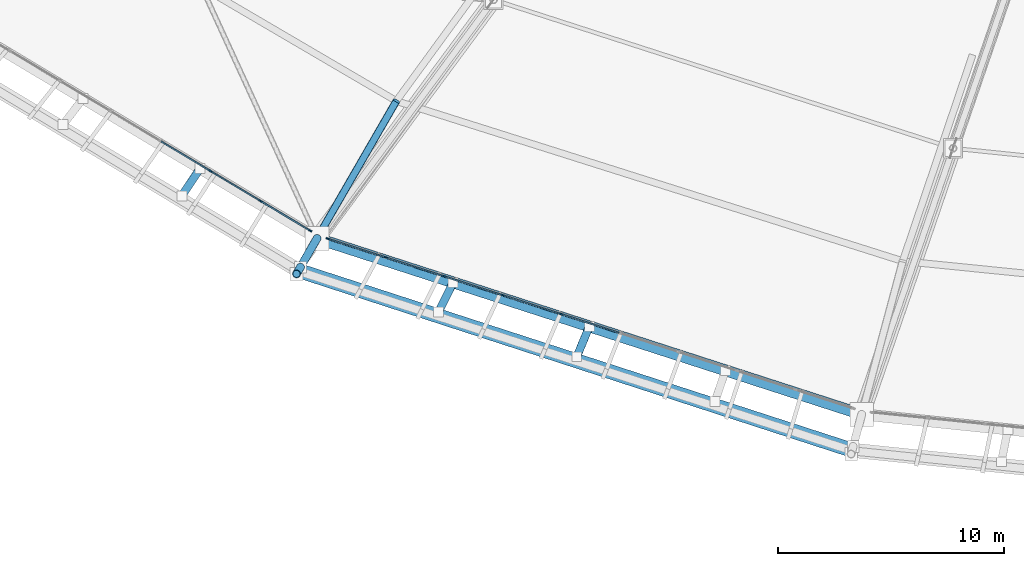
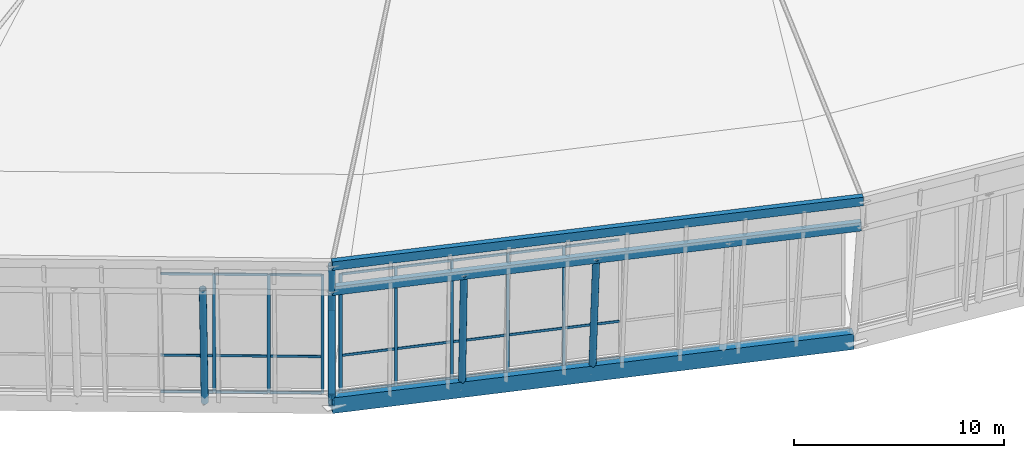
# One storey, part 2 of 115: 38 members, 4 beams, 2 elements without a shape of their own.
"""IFC4 building model written with IfcOpenShell, lengths in metres."""

from ifc_helpers import new_model, si_unit, direction, frame, origin, origin_2d, place, context, subcontext, project, spatial, rectangle, hollow_rectangle, hollow_circle, i_section, extrude, material, material_profile, profile_set, type_object, element, aggregate, save


model = new_model("IFC4")

# Units and contexts
model_context = context("Model", 3, precision=1e-05, world=origin(), true_north=direction((0.0, 1.0)))
body_context = subcontext(model_context, "Body", "Model", "MODEL_VIEW")
ifc_project = project(units=[si_unit("LENGTHUNIT", "METRE"), si_unit("AREAUNIT", "SQUARE_METRE"), si_unit("VOLUMEUNIT", "CUBIC_METRE"), si_unit("PLANEANGLEUNIT", "RADIAN"), si_unit("MASSUNIT", "GRAM", prefix="KILO")], contexts=[model_context])

# Site, building, storey
site_placement = place(None, origin())
site = spatial("IfcSite", under=ifc_project, at=site_placement, CompositionType="ELEMENT")
building_placement = place(site_placement, origin())
building = spatial("IfcBuilding", under=site, at=building_placement, Name="Zlatoyarsky Gate Stadium", CompositionType="ELEMENT")
storey_placement = place(building_placement, frame((0.0, 0.0, 31.800048828125)))
storey = spatial("IfcBuildingStorey", under=building, at=storey_placement, Name="RF", CompositionType="ELEMENT", Elevation=31.800048828125)

# Curtain wall, members
ifc_material_1 = material(Name="Thermally broken anodised aluminium curtain wall", Category="aluminium")
curtain_wall_type = type_object("IfcCurtainWallType", Name="UNITISED SKYBOX RING GLAZING L05", PredefinedType="USERDEFINED", material=ifc_material_1)
curtain_wall_1_placement = place(storey_placement, origin())
curtain_wall_1 = element("IfcCurtainWall", 1, at=curtain_wall_1_placement, inside=storey, type_object=curtain_wall_type, Name="Curtain wall CW-RF-15", ObjectType="UNITISED GLAZING", PredefinedType="USERDEFINED")
ifc_material_2 = material(Name="Anodised aluminium 6063-T6", Category="aluminium")
ifc_material_profile_1 = material_profile(ifc_material_2, rectangle(XDim=0.06494140625, YDim=0.159912109375, at=origin_2d()), Name="ALU 65X160")
ifc_profile_set_1 = profile_set([ifc_material_profile_1], Name="Anodised aluminium 6063-T6")
member_type_1 = type_object("IfcMemberType", Name="ALUMINIUM MULLION 65X160", PredefinedType="MULLION", material=ifc_profile_set_1)
member_1_placement = place(storey_placement, frame((56.268310546875, 15.412109375, 0.0), z_axis=(0.0, 0.0, 1.0), x_axis=(0.513435995817, 0.858127891517, 0.0)))
member_1 = element("IfcMember", 2, at=member_1_placement, type_object=member_type_1, Name="CW-UG5 mullion 8", PredefinedType="MULLION", context=body_context, shape_type="SweptSolid", body=[
    extrude(rectangle(XDim=0.06494140625, YDim=0.159912109375, at=origin_2d()), origin(), (0.0, 0.0, 1.0), 6.89990234375),
])
member_2_placement = place(storey_placement, frame((58.490478515625, 14.08251953125, 0.0), z_axis=(0.0, 0.0, 1.0), x_axis=(0.513435995817, 0.858127891517, 0.0)))
member_2 = element("IfcMember", 3, at=member_2_placement, type_object=member_type_1, Name="CW-UG5 mullion 9", PredefinedType="MULLION", context=body_context, shape_type="SweptSolid", body=[
    extrude(rectangle(XDim=0.06494140625, YDim=0.159912109375, at=origin_2d()), origin(), (0.0, 0.0, 1.0), 6.89990234375),
])
member_3_placement = place(storey_placement, frame((60.68505859375, 12.76953125, 0.0), z_axis=(0.0, 0.0, 1.0), x_axis=(0.513435995817, 0.858127891517, 0.0)))
member_3 = element("IfcMember", 4, at=member_3_placement, type_object=member_type_1, Name="CW-UG5 mullion 10", PredefinedType="MULLION", context=body_context, shape_type="SweptSolid", body=[
    extrude(rectangle(XDim=0.06494140625, YDim=0.159912109375, at=origin_2d()), origin(), (0.0, 0.0, 1.0), 6.89990234375),
])

curtain_wall_2_placement = place(storey_placement, origin())
curtain_wall_2 = element("IfcCurtainWall", 5, at=curtain_wall_2_placement, inside=storey, type_object=curtain_wall_type, Name="Curtain wall CW-RF-16", ObjectType="UNITISED GLAZING", PredefinedType="USERDEFINED")
member_4_placement = place(storey_placement, frame((61.4677734375, 12.41455078125, 0.0), z_axis=(0.0, 0.0, 1.0), x_axis=(0.307352182475, 0.951595836439, 0.0)))
member_4 = element("IfcMember", 6, at=member_4_placement, type_object=member_type_1, Name="CW-UG5 mullion 1", PredefinedType="MULLION", context=body_context, shape_type="SweptSolid", body=[
    extrude(rectangle(XDim=0.06494140625, YDim=0.159912109375, at=origin_2d()), origin(), (0.0, 0.0, 1.0), 6.89990234375),
])
member_5_placement = place(storey_placement, frame((64.029052734375, 11.587158203125, 0.0), z_axis=(0.0, 0.0, 1.0), x_axis=(0.307352182475, 0.951595836439, 0.0)))
member_5 = element("IfcMember", 7, at=member_5_placement, type_object=member_type_1, Name="CW-UG5 mullion 2", PredefinedType="MULLION", context=body_context, shape_type="SweptSolid", body=[
    extrude(rectangle(XDim=0.06494140625, YDim=0.159912109375, at=origin_2d()), origin(), (0.0, 0.0, 1.0), 6.89990234375),
])
member_6_placement = place(storey_placement, frame((66.62109375, 10.75, 0.0), z_axis=(0.0, 0.0, 1.0), x_axis=(0.307352182475, 0.951595836439, 0.0)))
member_6 = element("IfcMember", 8, at=member_6_placement, type_object=member_type_1, Name="CW-UG5 mullion 3", PredefinedType="MULLION", context=body_context, shape_type="SweptSolid", body=[
    extrude(rectangle(XDim=0.06494140625, YDim=0.159912109375, at=origin_2d()), origin(), (0.0, 0.0, 1.0), 6.89990234375),
])
member_7_placement = place(storey_placement, frame((69.21337890625, 9.912841796875, 0.0), z_axis=(0.0, 0.0, 1.0), x_axis=(0.307352182475, 0.951595836439, 0.0)))
member_7 = element("IfcMember", 9, at=member_7_placement, type_object=member_type_1, Name="CW-UG5 mullion 4", PredefinedType="MULLION", context=body_context, shape_type="SweptSolid", body=[
    extrude(rectangle(XDim=0.06494140625, YDim=0.159912109375, at=origin_2d()), origin(), (0.0, 0.0, 1.0), 6.89990234375),
])
member_8_placement = place(storey_placement, frame((71.8056640625, 9.075439453125, 0.0), z_axis=(0.0, 0.0, 1.0), x_axis=(0.307352182475, 0.951595836439, 0.0)))
member_8 = element("IfcMember", 10, at=member_8_placement, type_object=member_type_1, Name="CW-UG5 mullion 5", PredefinedType="MULLION", context=body_context, shape_type="SweptSolid", body=[
    extrude(rectangle(XDim=0.06494140625, YDim=0.159912109375, at=origin_2d()), origin(), (0.0, 0.0, 1.0), 6.89990234375),
])

# Member
ifc_material_profile_2 = material_profile(ifc_material_2, rectangle(XDim=0.06494140625, YDim=0.139892578125, at=origin_2d()), Name="ALU 65X140")
ifc_profile_set_2 = profile_set([ifc_material_profile_2], Name="Anodised aluminium 6063-T6")
member_type_2 = type_object("IfcMemberType", Name="ALUMINIUM TRANSOM 65X140", PredefinedType="USERDEFINED", material=ifc_profile_set_2)
member_9_placement = place(storey_placement, frame((54.073974609375, 16.72509765625, 0.032470703125), z_axis=(0.858106637298, -0.513471517248, 0.0), x_axis=(0.513471517248, 0.858106637298, 0.0)))
member_9 = element("IfcMember", 11, at=member_9_placement, type_object=member_type_2, Name="CW-UG5 transom 7.1", ObjectType="TRANSOM", PredefinedType="USERDEFINED", context=body_context, shape_type="SweptSolid", body=[
    extrude(rectangle(XDim=0.06494140625, YDim=0.139892578125, at=origin_2d()), origin(), (0.0, 0.0, 1.0), 2.524658203125),
])

member_10_placement = place(storey_placement, frame((54.073974609375, 16.72509765625, 2.14990234375), z_axis=(0.858106637298, -0.513471517248, 0.0), x_axis=(0.513471517248, 0.858106637298, 0.0)))
member_10 = element("IfcMember", 12, at=member_10_placement, type_object=member_type_2, Name="CW-UG5 transom 7.2", ObjectType="TRANSOM", PredefinedType="USERDEFINED", context=body_context, shape_type="SweptSolid", body=[
    extrude(rectangle(XDim=0.06494140625, YDim=0.139892578125, at=origin_2d()), origin(), (0.0, 0.0, 1.0), 2.524658203125),
])

member_11_placement = place(storey_placement, frame((54.073974609375, 16.72509765625, 6.867431640625), z_axis=(0.858106637298, -0.513471517248, 0.0), x_axis=(0.513471517248, 0.858106637298, 0.0)))
member_11 = element("IfcMember", 13, at=member_11_placement, type_object=member_type_2, Name="CW-UG5 transom 7.3", ObjectType="TRANSOM", PredefinedType="USERDEFINED", context=body_context, shape_type="SweptSolid", body=[
    extrude(rectangle(XDim=0.06494140625, YDim=0.139892578125, at=origin_2d()), origin(), (0.0, 0.0, 1.0), 2.524658203125),
])

member_12_placement = place(storey_placement, frame((56.296142578125, 15.3955078125, 0.032470703125), z_axis=(0.858106637298, -0.513471517248, 0.0), x_axis=(0.513471517248, 0.858106637298, 0.0)))
member_12 = element("IfcMember", 14, at=member_12_placement, type_object=member_type_2, Name="CW-UG5 transom 8.1", ObjectType="TRANSOM", PredefinedType="USERDEFINED", context=body_context, shape_type="SweptSolid", body=[
    extrude(rectangle(XDim=0.06494140625, YDim=0.139892578125, at=origin_2d()), origin(), (0.0, 0.0, 1.0), 2.524658203125),
])

member_13_placement = place(storey_placement, frame((56.296142578125, 15.3955078125, 2.14990234375), z_axis=(0.858106637298, -0.513471517248, 0.0), x_axis=(0.513471517248, 0.858106637298, 0.0)))
member_13 = element("IfcMember", 15, at=member_13_placement, type_object=member_type_2, Name="CW-UG5 transom 8.2", ObjectType="TRANSOM", PredefinedType="USERDEFINED", context=body_context, shape_type="SweptSolid", body=[
    extrude(rectangle(XDim=0.06494140625, YDim=0.139892578125, at=origin_2d()), origin(), (0.0, 0.0, 1.0), 2.524658203125),
])

member_14_placement = place(storey_placement, frame((56.296142578125, 15.3955078125, 6.867431640625), z_axis=(0.858106637298, -0.513471517248, 0.0), x_axis=(0.513471517248, 0.858106637298, 0.0)))
member_14 = element("IfcMember", 16, at=member_14_placement, type_object=member_type_2, Name="CW-UG5 transom 8.3", ObjectType="TRANSOM", PredefinedType="USERDEFINED", context=body_context, shape_type="SweptSolid", body=[
    extrude(rectangle(XDim=0.06494140625, YDim=0.139892578125, at=origin_2d()), origin(), (0.0, 0.0, 1.0), 2.524658203125),
])

member_15_placement = place(storey_placement, frame((58.5185546875, 14.065673828125, 0.032470703125), z_axis=(0.858140517971, -0.513414892087, 0.0), x_axis=(0.513414892087, 0.858140517971, 0.0)))
member_15 = element("IfcMember", 17, at=member_15_placement, type_object=member_type_2, Name="CW-UG5 transom 9.1", ObjectType="TRANSOM", PredefinedType="USERDEFINED", context=body_context, shape_type="SweptSolid", body=[
    extrude(rectangle(XDim=0.06494140625, YDim=0.139892578125, at=origin_2d()), origin(), (0.0, 0.0, 1.0), 2.4921875),
])

member_16_placement = place(storey_placement, frame((58.5185546875, 14.065673828125, 2.14990234375), z_axis=(0.858140517971, -0.513414892087, 0.0), x_axis=(0.513414892087, 0.858140517971, 0.0)))
member_16 = element("IfcMember", 18, at=member_16_placement, type_object=member_type_2, Name="CW-UG5 transom 9.2", ObjectType="TRANSOM", PredefinedType="USERDEFINED", context=body_context, shape_type="SweptSolid", body=[
    extrude(rectangle(XDim=0.06494140625, YDim=0.139892578125, at=origin_2d()), origin(), (0.0, 0.0, 1.0), 2.4921875),
])

member_17_placement = place(storey_placement, frame((58.5185546875, 14.065673828125, 6.867431640625), z_axis=(0.858140517971, -0.513414892087, 0.0), x_axis=(0.513414892087, 0.858140517971, 0.0)))
member_17 = element("IfcMember", 19, at=member_17_placement, type_object=member_type_2, Name="CW-UG5 transom 9.3", ObjectType="TRANSOM", PredefinedType="USERDEFINED", context=body_context, shape_type="SweptSolid", body=[
    extrude(rectangle(XDim=0.06494140625, YDim=0.139892578125, at=origin_2d()), origin(), (0.0, 0.0, 1.0), 2.4921875),
])

aggregate(curtain_wall_1, [member_1, member_2, member_3, member_9, member_10, member_11, member_12, member_13, member_14, member_15, member_16, member_17])

member_18_placement = place(storey_placement, frame((61.49853515625, 12.404541015625, 0.032470703125), z_axis=(0.951588529008, -0.307374806157, 0.0), x_axis=(0.307374806157, 0.951588529008, 0.0)))
member_18 = element("IfcMember", 20, at=member_18_placement, type_object=member_type_2, Name="CW-UG5 transom 1.1", ObjectType="TRANSOM", PredefinedType="USERDEFINED", context=body_context, shape_type="SweptSolid", body=[
    extrude(rectangle(XDim=0.06494140625, YDim=0.139892578125, at=origin_2d()), origin(), (0.0, 0.0, 1.0), 2.626708984375),
])

member_19_placement = place(storey_placement, frame((61.49853515625, 12.404541015625, 2.14990234375), z_axis=(0.951588529008, -0.307374806157, 0.0), x_axis=(0.307374806157, 0.951588529008, 0.0)))
member_19 = element("IfcMember", 21, at=member_19_placement, type_object=member_type_2, Name="CW-UG5 transom 1.2", ObjectType="TRANSOM", PredefinedType="USERDEFINED", context=body_context, shape_type="SweptSolid", body=[
    extrude(rectangle(XDim=0.06494140625, YDim=0.139892578125, at=origin_2d()), origin(), (0.0, 0.0, 1.0), 2.626708984375),
])

member_20_placement = place(storey_placement, frame((61.49853515625, 12.404541015625, 6.867431640625), z_axis=(0.951588529008, -0.307374806157, 0.0), x_axis=(0.307374806157, 0.951588529008, 0.0)))
member_20 = element("IfcMember", 22, at=member_20_placement, type_object=member_type_2, Name="CW-UG5 transom 1.3", ObjectType="TRANSOM", PredefinedType="USERDEFINED", context=body_context, shape_type="SweptSolid", body=[
    extrude(rectangle(XDim=0.06494140625, YDim=0.139892578125, at=origin_2d()), origin(), (0.0, 0.0, 1.0), 2.626708984375),
])

member_21_placement = place(storey_placement, frame((64.059814453125, 11.5771484375, 0.032470703125), z_axis=(0.951615985175, -0.307289792801, 0.0), x_axis=(0.307289792801, 0.951615985175, 0.0)))
member_21 = element("IfcMember", 23, at=member_21_placement, type_object=member_type_2, Name="CW-UG5 transom 2.1", ObjectType="TRANSOM", PredefinedType="USERDEFINED", context=body_context, shape_type="SweptSolid", body=[
    extrude(rectangle(XDim=0.06494140625, YDim=0.139892578125, at=origin_2d()), origin(), (0.0, 0.0, 1.0), 2.6591796875),
])

member_22_placement = place(storey_placement, frame((64.059814453125, 11.5771484375, 2.14990234375), z_axis=(0.951615985175, -0.307289792801, 0.0), x_axis=(0.307289792801, 0.951615985175, 0.0)))
member_22 = element("IfcMember", 24, at=member_22_placement, type_object=member_type_2, Name="CW-UG5 transom 2.2", ObjectType="TRANSOM", PredefinedType="USERDEFINED", context=body_context, shape_type="SweptSolid", body=[
    extrude(rectangle(XDim=0.06494140625, YDim=0.139892578125, at=origin_2d()), origin(), (0.0, 0.0, 1.0), 2.6591796875),
])

member_23_placement = place(storey_placement, frame((64.059814453125, 11.5771484375, 6.867431640625), z_axis=(0.951615985175, -0.307289792801, 0.0), x_axis=(0.307289792801, 0.951615985175, 0.0)))
member_23 = element("IfcMember", 25, at=member_23_placement, type_object=member_type_2, Name="CW-UG5 transom 2.3", ObjectType="TRANSOM", PredefinedType="USERDEFINED", context=body_context, shape_type="SweptSolid", body=[
    extrude(rectangle(XDim=0.06494140625, YDim=0.139892578125, at=origin_2d()), origin(), (0.0, 0.0, 1.0), 2.6591796875),
])

member_24_placement = place(storey_placement, frame((66.652099609375, 10.739990234375, 0.032470703125), z_axis=(0.951607314646, -0.307316642428, 0.0), x_axis=(0.307316642428, 0.951607314646, 0.0)))
member_24 = element("IfcMember", 26, at=member_24_placement, type_object=member_type_2, Name="CW-UG5 transom 3.1", ObjectType="TRANSOM", PredefinedType="USERDEFINED", context=body_context, shape_type="SweptSolid", body=[
    extrude(rectangle(XDim=0.06494140625, YDim=0.139892578125, at=origin_2d()), origin(), (0.0, 0.0, 1.0), 2.658935546875),
])

member_25_placement = place(storey_placement, frame((66.652099609375, 10.739990234375, 2.14990234375), z_axis=(0.951607314646, -0.307316642428, 0.0), x_axis=(0.307316642428, 0.951607314646, 0.0)))
member_25 = element("IfcMember", 27, at=member_25_placement, type_object=member_type_2, Name="CW-UG5 transom 3.2", ObjectType="TRANSOM", PredefinedType="USERDEFINED", context=body_context, shape_type="SweptSolid", body=[
    extrude(rectangle(XDim=0.06494140625, YDim=0.139892578125, at=origin_2d()), origin(), (0.0, 0.0, 1.0), 2.658935546875),
])

member_26_placement = place(storey_placement, frame((66.652099609375, 10.739990234375, 6.867431640625), z_axis=(0.951607314646, -0.307316642428, 0.0), x_axis=(0.307316642428, 0.951607314646, 0.0)))
member_26 = element("IfcMember", 28, at=member_26_placement, type_object=member_type_2, Name="CW-UG5 transom 3.3", ObjectType="TRANSOM", PredefinedType="USERDEFINED", context=body_context, shape_type="SweptSolid", body=[
    extrude(rectangle(XDim=0.06494140625, YDim=0.139892578125, at=origin_2d()), origin(), (0.0, 0.0, 1.0), 2.658935546875),
])

member_27_placement = place(storey_placement, frame((69.244384765625, 9.90283203125, 0.032470703125), z_axis=(0.951580459921, -0.307399785779, 0.0), x_axis=(0.307399785779, 0.951580459921, 0.0)))
member_27 = element("IfcMember", 29, at=member_27_placement, type_object=member_type_2, Name="CW-UG5 transom 4.1", ObjectType="TRANSOM", PredefinedType="USERDEFINED", context=body_context, shape_type="SweptSolid", body=[
    extrude(rectangle(XDim=0.06494140625, YDim=0.139892578125, at=origin_2d()), origin(), (0.0, 0.0, 1.0), 2.658935546875),
])

member_28_placement = place(storey_placement, frame((69.244384765625, 9.90283203125, 2.14990234375), z_axis=(0.951580459921, -0.307399785779, 0.0), x_axis=(0.307399785779, 0.951580459921, 0.0)))
member_28 = element("IfcMember", 30, at=member_28_placement, type_object=member_type_2, Name="CW-UG5 transom 4.2", ObjectType="TRANSOM", PredefinedType="USERDEFINED", context=body_context, shape_type="SweptSolid", body=[
    extrude(rectangle(XDim=0.06494140625, YDim=0.139892578125, at=origin_2d()), origin(), (0.0, 0.0, 1.0), 2.658935546875),
])

member_29_placement = place(storey_placement, frame((69.244384765625, 9.90283203125, 6.867431640625), z_axis=(0.951580459921, -0.307399785779, 0.0), x_axis=(0.307399785779, 0.951580459921, 0.0)))
member_29 = element("IfcMember", 31, at=member_29_placement, type_object=member_type_2, Name="CW-UG5 transom 4.3", ObjectType="TRANSOM", PredefinedType="USERDEFINED", context=body_context, shape_type="SweptSolid", body=[
    extrude(rectangle(XDim=0.06494140625, YDim=0.139892578125, at=origin_2d()), origin(), (0.0, 0.0, 1.0), 2.658935546875),
])

member_30_placement = place(storey_placement, frame((71.83642578125, 9.0654296875, 0.032470703125), z_axis=(0.951615985175, -0.307289792801, 0.0), x_axis=(0.307289792801, 0.951615985175, 0.0)))
member_30 = element("IfcMember", 32, at=member_30_placement, type_object=member_type_2, Name="CW-UG5 transom 5.1", ObjectType="TRANSOM", PredefinedType="USERDEFINED", context=body_context, shape_type="SweptSolid", body=[
    extrude(rectangle(XDim=0.06494140625, YDim=0.139892578125, at=origin_2d()), origin(), (0.0, 0.0, 1.0), 2.6591796875),
])

member_31_placement = place(storey_placement, frame((71.83642578125, 9.0654296875, 2.14990234375), z_axis=(0.951615985175, -0.307289792801, 0.0), x_axis=(0.307289792801, 0.951615985175, 0.0)))
member_31 = element("IfcMember", 33, at=member_31_placement, type_object=member_type_2, Name="CW-UG5 transom 5.2", ObjectType="TRANSOM", PredefinedType="USERDEFINED", context=body_context, shape_type="SweptSolid", body=[
    extrude(rectangle(XDim=0.06494140625, YDim=0.139892578125, at=origin_2d()), origin(), (0.0, 0.0, 1.0), 2.6591796875),
])

member_32_placement = place(storey_placement, frame((71.83642578125, 9.0654296875, 6.867431640625), z_axis=(0.951615985175, -0.307289792801, 0.0), x_axis=(0.307289792801, 0.951615985175, 0.0)))
member_32 = element("IfcMember", 34, at=member_32_placement, type_object=member_type_2, Name="CW-UG5 transom 5.3", ObjectType="TRANSOM", PredefinedType="USERDEFINED", context=body_context, shape_type="SweptSolid", body=[
    extrude(rectangle(XDim=0.06494140625, YDim=0.139892578125, at=origin_2d()), origin(), (0.0, 0.0, 1.0), 2.6591796875),
])

aggregate(curtain_wall_2, [member_4, member_5, member_6, member_7, member_8, member_18, member_19, member_20, member_21, member_22, member_23, member_24, member_25, member_26, member_27, member_28, member_29, member_30, member_31, member_32])

# Members
ifc_material_3 = material(Name="Steel S355", Category="steel")
ifc_material_profile_3 = material_profile(ifc_material_3, hollow_circle(Radius=0.177734375, WallThickness=0.02001953125, at=origin_2d()), Name="CHS 355.6X20")
ifc_profile_set_3 = profile_set([ifc_material_profile_3], Name="Steel S355")
member_type_3 = type_object("IfcMemberType", Name="STEEL LEANING RIB RING STRUT CHS 355.6X20", PredefinedType="STRUT", material=ifc_profile_set_3)
member_33_placement = place(storey_placement, frame((55.80712890625, 15.526123046875, -0.449951171875), z_axis=(-0.104647731087, -0.156703430904, 0.982085987641), x_axis=(0.831612147904, -0.555356854157, 0.0)))
element("IfcMember", 35, at=member_33_placement, inside=storey, type_object=member_type_3, Name="Outward-leaning bowl louvre fin rib RF 15-3", PredefinedType="STRUT", context=body_context, shape_type="SweptSolid", body=[
    extrude(hollow_circle(Radius=0.177734375, WallThickness=0.02001953125, at=origin_2d()), origin(), (0.0, 0.0, 1.0), 7.738525390625),
])
member_34_placement = place(storey_placement, frame((60.986083984375, 12.426025390625, -0.449951171875), z_axis=(-0.094814086524, -0.164205633547, 0.98185884877), x_axis=(0.86600274944, -0.500039236423, 0.0)))
element("IfcMember", 36, at=member_34_placement, inside=storey, type_object=member_type_3, Name="Outward-leaning crown fascia lower post 16", PredefinedType="STRUT", context=body_context, shape_type="SweptSolid", body=[
    extrude(hollow_circle(Radius=0.177734375, WallThickness=0.02001953125, at=origin_2d()), origin(), (0.0, 0.0, 1.0), 7.740234375),
])
member_35_placement = place(storey_placement, frame((60.252197265625, 11.155029296875, 7.14990234375), z_axis=(-0.100448064705, -0.174166252247, 0.979579656218), x_axis=(0.866255472086, -0.499601298118, 0.0)))
element("IfcMember", 37, at=member_35_placement, inside=storey, type_object=member_type_3, Name="Outward-leaning crown fascia upper post 16", PredefinedType="STRUT", context=body_context, shape_type="SweptSolid", body=[
    extrude(hollow_circle(Radius=0.177734375, WallThickness=0.02001953125, at=origin_2d()), origin(), (0.0, 0.0, 1.0), 1.7353515625),
])
member_36_placement = place(storey_placement, frame((67.017333984375, 10.477294921875, -0.449951171875), z_axis=(-0.08338382424, -0.16897607364, 0.982086668473), x_axis=(0.896758934968, -0.442519392293, 0.0)))
element("IfcMember", 38, at=member_36_placement, inside=storey, type_object=member_type_3, Name="Outward-leaning bowl louvre fin rib RF 16-1", PredefinedType="STRUT", context=body_context, shape_type="SweptSolid", body=[
    extrude(hollow_circle(Radius=0.177734375, WallThickness=0.02001953125, at=origin_2d()), origin(), (0.0, 0.0, 1.0), 7.738525390625),
])
member_37_placement = place(storey_placement, frame((73.048583984375, 8.528564453125, -0.449951171875), z_axis=(-0.071968203626, -0.173752256627, 0.982156164255), x_axis=(0.923883926907, -0.382672823184, 0.0)))
element("IfcMember", 39, at=member_37_placement, inside=storey, type_object=member_type_3, Name="Outward-leaning bowl louvre fin rib RF 16-2", PredefinedType="STRUT", context=body_context, shape_type="SweptSolid", body=[
    extrude(hollow_circle(Radius=0.177734375, WallThickness=0.02001953125, at=origin_2d()), origin(), (0.0, 0.0, 1.0), 7.738037109375),
])

# Beams
ifc_material_profile_4 = material_profile(ifc_material_3, hollow_rectangle(XDim=0.300048828125, YDim=0.5, WallThickness=0.02001953125, at=origin_2d()), Name="RHS 500X300X20")
ifc_profile_set_4 = profile_set([ifc_material_profile_4], Name="Steel S355")
beam_type_1 = type_object("IfcBeamType", Name="STEEL LOUVRE CARRIER SPANDREL RHS 500X300X20", PredefinedType="SPANDREL", material=ifc_profile_set_4)
beam_1_placement = place(storey_placement, frame((60.252197265625, 11.155029296875, 7.14990234375), z_axis=(0.951194147807, -0.30859308673, 0.0), x_axis=(0.30859308673, 0.951194147807, 0.0)))
element("IfcBeam", 40, at=beam_1_placement, inside=storey, type_object=beam_type_1, Name="Crown eaves fascia bottom carrier spandrel 16", PredefinedType="SPANDREL", context=body_context, shape_type="SweptSolid", body=[
    extrude(hollow_rectangle(XDim=0.300048828125, YDim=0.5, WallThickness=0.02001953125, at=origin_2d()), origin(), (0.0, 0.0, 1.0), 25.735107421875),
])
beam_2_placement = place(storey_placement, frame((60.077880859375, 10.852783203125, 8.849853515625), z_axis=(0.951109763834, -0.308853067232, 0.0), x_axis=(0.308853067232, 0.951109763834, 0.0)))
element("IfcBeam", 41, at=beam_2_placement, inside=storey, type_object=beam_type_1, Name="Crown fascia top carrier spandrel 16", PredefinedType="SPANDREL", context=body_context, shape_type="SweptSolid", body=[
    extrude(hollow_rectangle(XDim=0.300048828125, YDim=0.5, WallThickness=0.02001953125, at=origin_2d()), origin(), (0.0, 0.0, 1.0), 25.82568359375),
])
ifc_material_profile_5 = material_profile(ifc_material_3, hollow_rectangle(XDim=0.5, YDim=0.89990234375, WallThickness=0.028076171875, at=origin_2d()), Name="RHS 900X500X28")
ifc_profile_set_5 = profile_set([ifc_material_profile_5], Name="Steel S355")
beam_type_2 = type_object("IfcBeamType", Name="STEEL OUTER COMPRESSION RING BEAM RHS 900X500X28", PredefinedType="USERDEFINED", material=ifc_profile_set_5)
beam_3_placement = place(storey_placement, frame((60.986083984375, 12.426025390625, -0.449951171875), z_axis=(0.951561657785, -0.307457983199, 0.0), x_axis=(0.307457983199, 0.951561657785, 0.0)))
element("IfcBeam", 42, at=beam_3_placement, inside=storey, type_object=beam_type_2, Name="Outer compression ring beam 16", ObjectType="RING BEAM", PredefinedType="USERDEFINED", context=body_context, shape_type="SweptSolid", body=[
    extrude(hollow_rectangle(XDim=0.5, YDim=0.89990234375, WallThickness=0.028076171875, at=origin_2d()), origin(), (0.0, 0.0, 1.0), 25.352783203125),
])
ifc_material_profile_6 = material_profile(ifc_material_3, i_section(OverallWidth=0.300048828125, OverallDepth=0.699951171875, WebThickness=0.01708984375, FlangeThickness=0.031982421875, FilletRadius=0.027099609375, at=origin_2d()), Name="HEB 700")
ifc_profile_set_6 = profile_set([ifc_material_profile_6], Name="Steel S355")
beam_type_3 = type_object("IfcBeamType", Name="STEEL ROOF RING GIRDER HEB 700", PredefinedType="BEAM", material=ifc_profile_set_6)
beam_4_placement = place(storey_placement, frame((64.47998046875, 18.4775390625, -0.300048828125), z_axis=(-0.50000573544, -0.866022092401, 0.0), x_axis=(0.866022092401, -0.50000573544, 0.0)))
element("IfcBeam", 43, at=beam_4_placement, inside=storey, type_object=beam_type_3, Name="RF roof tie girder BM-RF-COUT-16", PredefinedType="BEAM", context=body_context, shape_type="SweptSolid", body=[
    extrude(i_section(OverallWidth=0.300048828125, OverallDepth=0.699951171875, WebThickness=0.01708984375, FlangeThickness=0.031982421875, FilletRadius=0.027099609375, at=origin_2d()), origin(), (0.0, 0.0, 1.0), 6.98779296875),
])

# Member
ifc_material_profile_7 = material_profile(ifc_material_3, hollow_circle(Radius=0.161865234375, WallThickness=0.01611328125, at=origin_2d()), Name="CHS 323.9X16")
ifc_profile_set_7 = profile_set([ifc_material_profile_7], Name="Steel S355")
member_type_4 = type_object("IfcMemberType", Name="STEEL TRUSS WEB STRUT CHS 323.9X16", PredefinedType="STRUT", material=ifc_profile_set_7)
member_38_placement = place(storey_placement, frame((64.5, 18.51220703125, -3.300048828125), z_axis=(-0.463352088662, -0.802536248055, 0.37581965421), x_axis=(0.866021866641, -0.500006126462, 0.0)))
element("IfcMember", 44, at=member_38_placement, inside=storey, type_object=member_type_4, Name="Arch heel prop 16", PredefinedType="STRUT", context=body_context, shape_type="SweptSolid", body=[
    extrude(hollow_circle(Radius=0.161865234375, WallThickness=0.01611328125, at=origin_2d()), origin(), (0.0, 0.0, 1.0), 7.583740234375),
])

save(model, "model.ifc")
